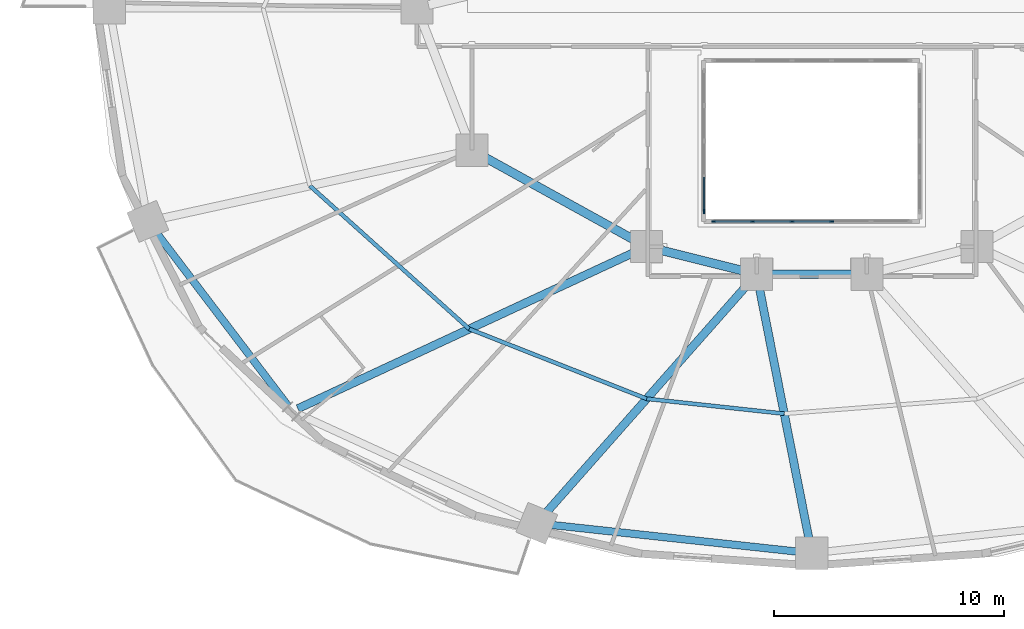
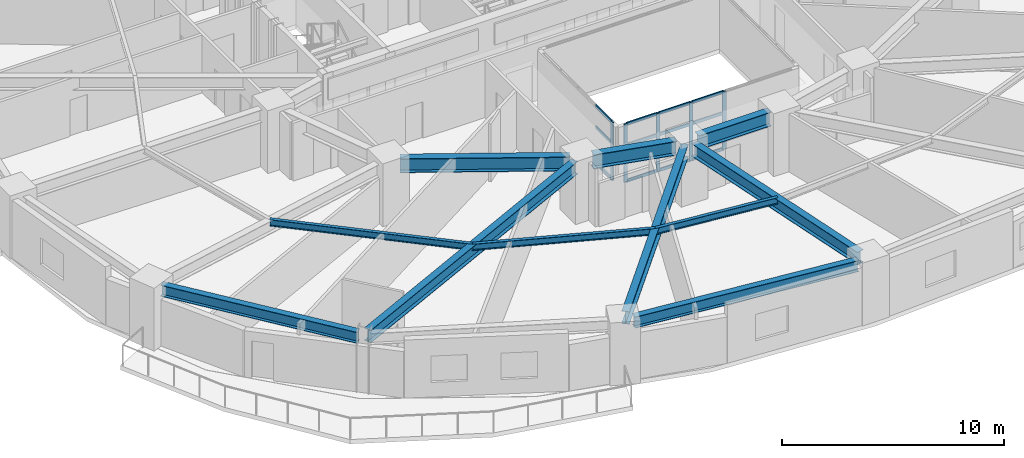
# One storey, part 3 of 16: 17 members, 11 beams, 2 elements without a shape of their own.
"""IFC4 building model written with IfcOpenShell, lengths in metres."""

import ifcopenshell
import ifcopenshell.guid

model = None  # the IFC model being written
_history = None  # IfcOwnerHistory: only IFC2X3 demands one
_inside = {}  # id of a spatial element -> (the spatial element, [elements in it])
_under = {}  # id of a project, library or spatial element -> (it, [spatial elements below it])
_declared = {}  # id of a project -> (the project, [libraries it declares])
_typed = {}  # id of a type object -> (the type object, [elements of that type])
_made_of = {}  # id of a material, layer set ... -> (it, [elements and type objects made of it])


def new_model(schema):
    """Start an empty IFC model of exactly this schema.

    Asked for "IFC4X3", IfcOpenShell would pick the latest addendum, in which some entities
    have other attributes; the version numbers below select the first issue.
    IFC2X3 requires an IfcOwnerHistory on every rooted entity: one is made here for all.
    """
    global model, _history
    if schema == "IFC4X3":
        model = ifcopenshell.file(schema_version=(4, 3, 0, 0))
    else:
        model = ifcopenshell.file(schema=schema)
    _inside.clear()
    _under.clear()
    _declared.clear()
    _typed.clear()
    _made_of.clear()
    _history = None
    if model.schema == "IFC2X3":
        org = make("IfcOrganization", Name="unknown")
        user = make(
            "IfcPersonAndOrganization",
            ThePerson=make("IfcPerson", FamilyName="unknown"),
            TheOrganization=org,
        )
        app = make(
            "IfcApplication",
            ApplicationDeveloper=org,
            Version="unknown",
            ApplicationFullName="unknown",
            ApplicationIdentifier="unknown",
        )
        _history = make(
            "IfcOwnerHistory",
            OwningUser=user,
            OwningApplication=app,
            ChangeAction="ADDED",
            CreationDate=0,
        )
    return model


def make(cls, **values):
    """One entity of the class cls with the attributes given. An attribute that is None is left unset."""
    return model.create_entity(
        cls, **{name: value for name, value in values.items() if value is not None}
    )


def rooted(cls, **values):
    """An entity with a GlobalId (a new one), such as an element, a storey or a relation."""
    return make(cls, GlobalId=ifcopenshell.guid.new(), OwnerHistory=_history, **values)


def si_unit(unit_type, name, prefix=None):
    """IfcSIUnit, for example si_unit("LENGTHUNIT", "METRE", prefix="MILLI")."""
    return make("IfcSIUnit", UnitType=unit_type, Prefix=prefix, Name=name)


def assignment(units):
    """IfcUnitAssignment: the units of a project."""
    return None if units is None else make("IfcUnitAssignment", Units=units)


def point(xyz):
    """IfcCartesianPoint."""
    return None if xyz is None else make("IfcCartesianPoint", Coordinates=xyz)


def direction(xyz):
    """IfcDirection."""
    return None if xyz is None else make("IfcDirection", DirectionRatios=xyz)


def frame(location, z_axis=None, x_axis=None):
    """IfcAxis2Placement3D, a coordinate frame: its origin and axes. An axis left out is left unset."""
    return make(
        "IfcAxis2Placement3D",
        Location=point(location),
        Axis=direction(z_axis),
        RefDirection=direction(x_axis),
    )


def frame_2d(location, x_axis=None):
    """IfcAxis2Placement2D, a coordinate frame in the plane: its origin and x axis."""
    return make(
        "IfcAxis2Placement2D", Location=point(location), RefDirection=direction(x_axis)
    )


def origin():
    """The frame at (0, 0, 0) with its axes left unset."""
    return frame((0.0, 0.0, 0.0))


def origin_2d():
    """The frame at (0, 0) in the plane with its x axis left unset."""
    return frame_2d((0.0, 0.0))


def place(relative_to, where):
    """IfcLocalPlacement: puts the frame where relative to a parent placement (None: the world)."""
    return make(
        "IfcLocalPlacement", PlacementRelTo=relative_to, RelativePlacement=where
    )


def context(
    kind, dimensions, precision=None, world=None, true_north=None, identifier=None
):
    """IfcGeometricRepresentationContext, for example the 3D "Model" context."""
    return make(
        "IfcGeometricRepresentationContext",
        ContextIdentifier=identifier,
        ContextType=kind,
        CoordinateSpaceDimension=dimensions,
        Precision=precision,
        WorldCoordinateSystem=world,
        TrueNorth=true_north,
    )


def subcontext(parent, identifier, kind, view, scale=None):
    """IfcGeometricRepresentationSubContext, for example "Body" below "Model"."""
    return make(
        "IfcGeometricRepresentationSubContext",
        ContextIdentifier=identifier,
        ContextType=kind,
        ParentContext=parent,
        TargetScale=scale,
        TargetView=view,
    )


def project(units=None, contexts=None):
    """IfcProject with its units and contexts."""
    return rooted(
        "IfcProject",
        Name="project",
        RepresentationContexts=contexts,
        UnitsInContext=assignment(units),
    )


def spatial(cls, under=None, at=None, **own):
    """A site, building, storey or space (cls), placed at a placement, below another one or the project."""
    s = rooted(cls, ObjectPlacement=at, **own)
    if under is not None:
        _under.setdefault(under.id(), (under, []))[1].append(s)
    return s


def profile(cls, at=None, kind="AREA", **sizes):
    """A parametric profile (cls). Its sizes go by their IFC names, for example OverallWidth=200.0."""
    return make(cls, ProfileType=kind, Position=at, **sizes)


def rectangle(**sizes):
    """IfcRectangleProfileDef."""
    return profile("IfcRectangleProfileDef", **sizes)


def i_section(**sizes):
    """IfcIShapeProfileDef."""
    return profile("IfcIShapeProfileDef", **sizes)


def extrude(swept, where, along, depth):
    """IfcExtrudedAreaSolid: the profile swept, set in the frame where, extruded along a direction by depth."""
    return make(
        "IfcExtrudedAreaSolid",
        SweptArea=swept,
        Position=where,
        ExtrudedDirection=direction(along),
        Depth=depth,
    )


def shape(context_of_items, identifier, shape_type, items):
    """IfcShapeRepresentation: the items that make up one representation, for example the "Body"."""
    return make(
        "IfcShapeRepresentation",
        ContextOfItems=context_of_items,
        RepresentationIdentifier=identifier,
        RepresentationType=shape_type,
        Items=items,
    )


def material(Name=None, Category=None):
    """IfcMaterial."""
    return make("IfcMaterial", Name=Name, Category=Category)


def material_profile(
    of_material, cross_section, Name=None, Category=None, Priority=None
):
    """IfcMaterialProfile: a cross section and its material."""
    return make(
        "IfcMaterialProfile",
        Name=Name,
        Material=of_material,
        Profile=cross_section,
        Priority=Priority,
        Category=Category,
    )


def profile_set(profiles, Name=None, composite=None):
    """IfcMaterialProfileSet."""
    return make(
        "IfcMaterialProfileSet",
        Name=Name,
        MaterialProfiles=profiles,
        CompositeProfile=composite,
    )


def made_of(thing, what):
    """Note that an element or type object is made of a material, layer set ...; save() writes the relation."""
    if what is not None:
        _made_of.setdefault(what.id(), (what, []))[1].append(thing)
    return thing


def type_object(cls, material=None, **own):
    """A type object (cls), such as IfcWallType, which elements share."""
    return made_of(rooted(cls, **own), material)


def element(
    cls,
    number,
    at=None,
    inside=None,
    cuts=None,
    type_object=None,
    material=None,
    context=None,
    identifier="Body",
    shape_type=None,
    held_by="IfcProductDefinitionShape",
    body=None,
    shapes=None,
    **own,
):
    """One element of the class cls, such as IfcWall. Its Tag is "e" and its number.

    at: its placement. inside: the storey or other place that contains it. cuts: it is an
    opening in that element (IfcRelVoidsElement). A single representation is given by context,
    identifier, shape_type and body (its items); several are given by shapes. held_by: the class
    of the entity that holds the representations. save() writes the other relations.
    """
    e = rooted(cls, Tag="e%d" % number, ObjectPlacement=at, **own)
    if body is not None:
        shapes = [shape(context, identifier, shape_type, body)]
    if shapes is not None:
        e.Representation = make(held_by, Representations=shapes)
    if inside is not None:
        _inside.setdefault(inside.id(), (inside, []))[1].append(e)
    if cuts is not None:
        rooted(
            "IfcRelVoidsElement", RelatingBuildingElement=cuts, RelatedOpeningElement=e
        )
    if type_object is not None:
        _typed.setdefault(type_object.id(), (type_object, []))[1].append(e)
    return made_of(e, material)


def aggregate(whole, parts):
    """IfcRelAggregates: a whole, such as a stair, and the parts it consists of."""
    return rooted("IfcRelAggregates", RelatingObject=whole, RelatedObjects=parts)


def save(model, path):
    """Write the relations noted so far, then the file.

    IfcRelAggregates (storeys below a building ...), IfcRelContainedInSpatialStructure (elements
    in a storey), IfcRelDefinesByType, IfcRelAssociatesMaterial and IfcRelDeclares: one each for
    every whole, place, type object, material and project.
    """
    for whole, parts in _under.values():
        aggregate(whole, parts)
    for where, things in _inside.values():
        rooted(
            "IfcRelContainedInSpatialStructure",
            RelatedElements=things,
            RelatingStructure=where,
        )
    for kind, things in _typed.values():
        rooted("IfcRelDefinesByType", RelatedObjects=things, RelatingType=kind)
    for what, things in _made_of.values():
        rooted("IfcRelAssociatesMaterial", RelatedObjects=things, RelatingMaterial=what)
    for by, libraries in _declared.values():
        rooted("IfcRelDeclares", RelatingContext=by, RelatedDefinitions=libraries)
    model.write(path)


model = new_model("IFC4")

# Units and contexts
model_context = context("Model", 3, precision=1e-05, world=origin(), true_north=direction((0.0, 1.0)))
body_context = subcontext(model_context, "Body", "Model", "MODEL_VIEW")
ifc_project = project(units=[si_unit("LENGTHUNIT", "METRE"), si_unit("AREAUNIT", "SQUARE_METRE"), si_unit("VOLUMEUNIT", "CUBIC_METRE"), si_unit("PLANEANGLEUNIT", "RADIAN"), si_unit("MASSUNIT", "GRAM", prefix="KILO")], contexts=[model_context])

# Site, building, storey
site_placement = place(None, origin())
site = spatial("IfcSite", under=ifc_project, at=site_placement, CompositionType="ELEMENT")
building_placement = place(site_placement, origin())
building = spatial("IfcBuilding", under=site, at=building_placement, Name="Haldorwick Loom Tower", CompositionType="ELEMENT")
storey_placement = place(building_placement, frame((0.0, 0.0, 68.85009765625)))
storey = spatial("IfcBuildingStorey", under=building, at=storey_placement, Name="L18", CompositionType="ELEMENT", Elevation=68.85009765625)

# Curtain wall, members
ifc_material_1 = material(Name="Thermally Broken Anodized Aluminium Curtain Wall Framing", Category="aluminium")
curtain_wall_type = type_object("IfcCurtainWallType", Name="ARC-CW-03", PredefinedType="NOTDEFINED", material=ifc_material_1)
curtain_wall_1_placement = place(storey_placement, origin())
curtain_wall_1 = element("IfcCurtainWall", 1, at=curtain_wall_1_placement, inside=storey, type_object=curtain_wall_type, Name="L18 Atrium Glazed Screen S", PredefinedType="NOTDEFINED")
ifc_material_profile_1 = material_profile(ifc_material_1, rectangle(XDim=0.06591796875, YDim=0.18505859375, at=origin_2d()), Name="ALU_MUL_66X185", Category="aluminium")
ifc_profile_set_1 = profile_set([ifc_material_profile_1], Name="Thermally Broken Anodized Aluminium Curtain Wall Framing")
member_type_1 = type_object("IfcMemberType", Name="ARC-CWM-03", PredefinedType="MULLION", material=ifc_profile_set_1)
member_1_placement = place(storey_placement, frame((36.860107421875, 16.699951171875, 0.0), z_axis=(0.0, 0.0, 1.0), x_axis=(0.0, -1.0, 0.0)))
member_1 = element("IfcMember", 2, at=member_1_placement, type_object=member_type_1, Name="CW-03 mullion 3", PredefinedType="MULLION", context=body_context, shape_type="SweptSolid", body=[
    extrude(rectangle(XDim=0.06591796875, YDim=0.18505859375, at=origin_2d()), origin(), (0.0, 0.0, 1.0), 3.18994140625),
])
member_2_placement = place(storey_placement, frame((35.139892578125, 16.699951171875, 0.0), z_axis=(0.0, 0.0, 1.0), x_axis=(0.0, -1.0, 0.0)))
member_2 = element("IfcMember", 3, at=member_2_placement, type_object=member_type_1, Name="CW-03 mullion 4", PredefinedType="MULLION", context=body_context, shape_type="SweptSolid", body=[
    extrude(rectangle(XDim=0.06591796875, YDim=0.18505859375, at=origin_2d()), origin(), (0.0, 0.0, 1.0), 3.18994140625),
])
member_3_placement = place(storey_placement, frame((33.419921875, 16.699951171875, 0.0), z_axis=(0.0, 0.0, 1.0), x_axis=(0.0, -1.0, 0.0)))
member_3 = element("IfcMember", 4, at=member_3_placement, type_object=member_type_1, Name="CW-03 mullion 5", PredefinedType="MULLION", context=body_context, shape_type="SweptSolid", body=[
    extrude(rectangle(XDim=0.06591796875, YDim=0.18505859375, at=origin_2d()), origin(), (0.0, 0.0, 1.0), 3.18994140625),
])
member_4_placement = place(storey_placement, frame((31.73291015625, 16.699951171875, 0.0), z_axis=(0.0, 0.0, 1.0), x_axis=(0.0, -1.0, 0.0)))
member_4 = element("IfcMember", 5, at=member_4_placement, type_object=member_type_1, Name="CW-03 mullion 6", PredefinedType="MULLION", context=body_context, shape_type="SweptSolid", body=[
    extrude(rectangle(XDim=0.06591796875, YDim=0.18505859375, at=origin_2d()), origin(), (0.0, 0.0, 1.0), 3.18994140625),
])

# Curtain wall, member
curtain_wall_2_placement = place(storey_placement, origin())
curtain_wall_2 = element("IfcCurtainWall", 6, at=curtain_wall_2_placement, inside=storey, type_object=curtain_wall_type, Name="L18 Atrium Glazed Screen W", PredefinedType="NOTDEFINED")
member_5_placement = place(storey_placement, frame((31.300048828125, 17.133056640625, 0.0), z_axis=(0.0, 0.0, 1.0), x_axis=(-1.0, 0.0, 0.0)))
member_5 = element("IfcMember", 7, at=member_5_placement, type_object=member_type_1, Name="CW-03 mullion 1", PredefinedType="MULLION", context=body_context, shape_type="SweptSolid", body=[
    extrude(rectangle(XDim=0.06591796875, YDim=0.18505859375, at=origin_2d()), origin(), (0.0, 0.0, 1.0), 3.18994140625),
])

# Member
ifc_material_profile_2 = material_profile(ifc_material_1, rectangle(XDim=0.06591796875, YDim=0.1650390625, at=origin_2d()), Name="ALU_TRN_66X165", Category="aluminium")
ifc_profile_set_2 = profile_set([ifc_material_profile_2], Name="Thermally Broken Anodized Aluminium Curtain Wall Framing")
member_type_2 = type_object("IfcMemberType", Name="ARC-CWT-03", PredefinedType="USERDEFINED", material=ifc_profile_set_2)
member_6_placement = place(storey_placement, frame((36.826904296875, 16.699951171875, 0.032958984375), z_axis=(-1.0, 0.0, 0.0), x_axis=(0.0, -1.0, 0.0)))
member_6 = element("IfcMember", 8, at=member_6_placement, type_object=member_type_2, Name="CW-03 transom 3.1", ObjectType="TRANSOM", PredefinedType="USERDEFINED", context=body_context, shape_type="SweptSolid", body=[
    extrude(rectangle(XDim=0.06591796875, YDim=0.1650390625, at=origin_2d()), origin(), (0.0, 0.0, 1.0), 1.65380859375),
])

member_7_placement = place(storey_placement, frame((36.826904296875, 16.699951171875, 2.0), z_axis=(-1.0, 0.0, 0.0), x_axis=(0.0, -1.0, 0.0)))
member_7 = element("IfcMember", 9, at=member_7_placement, type_object=member_type_2, Name="CW-03 transom 3.2", ObjectType="TRANSOM", PredefinedType="USERDEFINED", context=body_context, shape_type="SweptSolid", body=[
    extrude(rectangle(XDim=0.06591796875, YDim=0.1650390625, at=origin_2d()), origin(), (0.0, 0.0, 1.0), 1.65380859375),
])

member_8_placement = place(storey_placement, frame((36.826904296875, 16.699951171875, 3.156982421875), z_axis=(-1.0, 0.0, 0.0), x_axis=(0.0, -1.0, 0.0)))
member_8 = element("IfcMember", 10, at=member_8_placement, type_object=member_type_2, Name="CW-03 transom 3.3", ObjectType="TRANSOM", PredefinedType="USERDEFINED", context=body_context, shape_type="SweptSolid", body=[
    extrude(rectangle(XDim=0.06591796875, YDim=0.1650390625, at=origin_2d()), origin(), (0.0, 0.0, 1.0), 1.65380859375),
])

member_9_placement = place(storey_placement, frame((35.10693359375, 16.699951171875, 0.032958984375), z_axis=(-1.0, 0.0, 0.0), x_axis=(0.0, -1.0, 0.0)))
member_9 = element("IfcMember", 11, at=member_9_placement, type_object=member_type_2, Name="CW-03 transom 4.1", ObjectType="TRANSOM", PredefinedType="USERDEFINED", context=body_context, shape_type="SweptSolid", body=[
    extrude(rectangle(XDim=0.06591796875, YDim=0.1650390625, at=origin_2d()), origin(), (0.0, 0.0, 1.0), 1.654052734375),
])

member_10_placement = place(storey_placement, frame((35.10693359375, 16.699951171875, 2.0), z_axis=(-1.0, 0.0, 0.0), x_axis=(0.0, -1.0, 0.0)))
member_10 = element("IfcMember", 12, at=member_10_placement, type_object=member_type_2, Name="CW-03 transom 4.2", ObjectType="TRANSOM", PredefinedType="USERDEFINED", context=body_context, shape_type="SweptSolid", body=[
    extrude(rectangle(XDim=0.06591796875, YDim=0.1650390625, at=origin_2d()), origin(), (0.0, 0.0, 1.0), 1.654052734375),
])

member_11_placement = place(storey_placement, frame((35.10693359375, 16.699951171875, 3.156982421875), z_axis=(-1.0, 0.0, 0.0), x_axis=(0.0, -1.0, 0.0)))
member_11 = element("IfcMember", 13, at=member_11_placement, type_object=member_type_2, Name="CW-03 transom 4.3", ObjectType="TRANSOM", PredefinedType="USERDEFINED", context=body_context, shape_type="SweptSolid", body=[
    extrude(rectangle(XDim=0.06591796875, YDim=0.1650390625, at=origin_2d()), origin(), (0.0, 0.0, 1.0), 1.654052734375),
])

member_12_placement = place(storey_placement, frame((33.386962890625, 16.699951171875, 0.032958984375), z_axis=(-1.0, 0.0, 0.0), x_axis=(0.0, -1.0, 0.0)))
member_12 = element("IfcMember", 14, at=member_12_placement, type_object=member_type_2, Name="CW-03 transom 5.1", ObjectType="TRANSOM", PredefinedType="USERDEFINED", context=body_context, shape_type="SweptSolid", body=[
    extrude(rectangle(XDim=0.06591796875, YDim=0.1650390625, at=origin_2d()), origin(), (0.0, 0.0, 1.0), 1.620849609375),
])

member_13_placement = place(storey_placement, frame((33.386962890625, 16.699951171875, 2.0), z_axis=(-1.0, 0.0, 0.0), x_axis=(0.0, -1.0, 0.0)))
member_13 = element("IfcMember", 15, at=member_13_placement, type_object=member_type_2, Name="CW-03 transom 5.2", ObjectType="TRANSOM", PredefinedType="USERDEFINED", context=body_context, shape_type="SweptSolid", body=[
    extrude(rectangle(XDim=0.06591796875, YDim=0.1650390625, at=origin_2d()), origin(), (0.0, 0.0, 1.0), 1.620849609375),
])

member_14_placement = place(storey_placement, frame((33.386962890625, 16.699951171875, 3.156982421875), z_axis=(-1.0, 0.0, 0.0), x_axis=(0.0, -1.0, 0.0)))
member_14 = element("IfcMember", 16, at=member_14_placement, type_object=member_type_2, Name="CW-03 transom 5.3", ObjectType="TRANSOM", PredefinedType="USERDEFINED", context=body_context, shape_type="SweptSolid", body=[
    extrude(rectangle(XDim=0.06591796875, YDim=0.1650390625, at=origin_2d()), origin(), (0.0, 0.0, 1.0), 1.620849609375),
])

aggregate(curtain_wall_1, [member_1, member_2, member_3, member_4, member_6, member_7, member_8, member_9, member_10, member_11, member_12, member_13, member_14])

member_15_placement = place(storey_placement, frame((31.300048828125, 17.166015625, 0.032958984375), z_axis=(0.0, 1.0, 0.0), x_axis=(-1.0, 0.0, 0.0)))
member_15 = element("IfcMember", 17, at=member_15_placement, type_object=member_type_2, Name="CW-03 transom 1.1", ObjectType="TRANSOM", PredefinedType="USERDEFINED", context=body_context, shape_type="SweptSolid", body=[
    extrude(rectangle(XDim=0.06591796875, YDim=0.1650390625, at=origin_2d()), origin(), (0.0, 0.0, 1.0), 1.450927734375),
])

member_16_placement = place(storey_placement, frame((31.300048828125, 17.166015625, 2.0), z_axis=(0.0, 1.0, 0.0), x_axis=(-1.0, 0.0, 0.0)))
member_16 = element("IfcMember", 18, at=member_16_placement, type_object=member_type_2, Name="CW-03 transom 1.2", ObjectType="TRANSOM", PredefinedType="USERDEFINED", context=body_context, shape_type="SweptSolid", body=[
    extrude(rectangle(XDim=0.06591796875, YDim=0.1650390625, at=origin_2d()), origin(), (0.0, 0.0, 1.0), 1.450927734375),
])

member_17_placement = place(storey_placement, frame((31.300048828125, 17.166015625, 3.156982421875), z_axis=(0.0, 1.0, 0.0), x_axis=(-1.0, 0.0, 0.0)))
member_17 = element("IfcMember", 19, at=member_17_placement, type_object=member_type_2, Name="CW-03 transom 1.3", ObjectType="TRANSOM", PredefinedType="USERDEFINED", context=body_context, shape_type="SweptSolid", body=[
    extrude(rectangle(XDim=0.06591796875, YDim=0.1650390625, at=origin_2d()), origin(), (0.0, 0.0, 1.0), 1.450927734375),
])

aggregate(curtain_wall_2, [member_5, member_15, member_16, member_17])

# Beams
ifc_material_2 = material(Name="Steel CSA G40.21 350W", Category="steel")
ifc_material_profile_3 = material_profile(ifc_material_2, i_section(OverallWidth=0.172119140625, OverallDepth=0.35791015625, WebThickness=0.0078125, FlangeThickness=0.01318359375, at=origin_2d()), Name="W360X57", Category="steel")
ifc_profile_set_3 = profile_set([ifc_material_profile_3], Name="Steel CSA G40.21 350W")
beam_type_1 = type_object("IfcBeamType", Name="STR-BM-J360", PredefinedType="JOIST", material=ifc_profile_set_3)
beam_1_placement = place(storey_placement, frame((14.141357421875, 18.25048828125, 3.010986328125), z_axis=(0.743981830112, -0.668199847698, 0.0), x_axis=(0.668199847698, 0.743981830112, 0.0)))
element("IfcBeam", 20, at=beam_1_placement, inside=storey, type_object=beam_type_1, Name="L18 Mid-Bay Secondary Joist 10", PredefinedType="JOIST", context=body_context, shape_type="SweptSolid", body=[
    extrude(i_section(OverallWidth=0.172119140625, OverallDepth=0.35791015625, WebThickness=0.0078125, FlangeThickness=0.01318359375, at=origin_2d()), origin(), (0.0, 0.0, 1.0), 9.3330078125),
])
beam_2_placement = place(storey_placement, frame((21.0849609375, 12.01416015625, 3.010986328125), z_axis=(0.930584838237, -0.366076301941, 0.0), x_axis=(0.366076301941, 0.930584838237, 0.0)))
element("IfcBeam", 21, at=beam_2_placement, inside=storey, type_object=beam_type_1, Name="L18 Mid-Bay Secondary Joist 11", PredefinedType="JOIST", context=body_context, shape_type="SweptSolid", body=[
    extrude(i_section(OverallWidth=0.172119140625, OverallDepth=0.35791015625, WebThickness=0.0078125, FlangeThickness=0.01318359375, at=origin_2d()), origin(), (0.0, 0.0, 1.0), 8.302490234375),
])
beam_3_placement = place(storey_placement, frame((28.81103515625, 8.974853515625, 3.010986328125), z_axis=(0.994163660215, -0.107882420753, 0.0), x_axis=(0.107882420753, 0.994163660215, 0.0)))
element("IfcBeam", 22, at=beam_3_placement, inside=storey, type_object=beam_type_1, Name="L18 Mid-Bay Secondary Joist 12", PredefinedType="JOIST", context=body_context, shape_type="SweptSolid", body=[
    extrude(i_section(OverallWidth=0.172119140625, OverallDepth=0.35791015625, WebThickness=0.0078125, FlangeThickness=0.01318359375, at=origin_2d()), origin(), (0.0, 0.0, 1.0), 6.024169921875),
])
ifc_material_profile_4 = material_profile(ifc_material_2, i_section(OverallWidth=0.324951171875, OverallDepth=0.615966796875, WebThickness=0.013916015625, FlangeThickness=0.021484375, at=origin_2d()), Name="W610X174", Category="steel")
ifc_profile_set_4 = profile_set([ifc_material_profile_4], Name="Steel CSA G40.21 350W")
beam_type_2 = type_object("IfcBeamType", Name="STR-BM-SP610", PredefinedType="SPANDREL", material=ifc_profile_set_4)
beam_4_placement = place(storey_placement, frame((7.397216796875, 16.286865234375, 2.8818359375), z_axis=(0.605084557744, -0.796161213562, 0.0), x_axis=(0.796161213562, 0.605084557744, 0.0)))
element("IfcBeam", 23, at=beam_4_placement, inside=storey, type_object=beam_type_2, Name="L18 Perimeter Spandrel 10", PredefinedType="SPANDREL", context=body_context, shape_type="SweptSolid", body=[
    extrude(i_section(OverallWidth=0.324951171875, OverallDepth=0.615966796875, WebThickness=0.013916015625, FlangeThickness=0.021484375, at=origin_2d()), origin(), (0.0, 0.0, 1.0), 9.595703125),
])
beam_5_placement = place(storey_placement, frame((24.5390625, 3.49365234375, 2.8818359375), z_axis=(0.994164438636, -0.107875247167, 0.0), x_axis=(0.107875247167, 0.994164438636, 0.0)))
element("IfcBeam", 24, at=beam_5_placement, inside=storey, type_object=beam_type_2, Name="L18 Perimeter Spandrel 12", PredefinedType="SPANDREL", context=body_context, shape_type="SweptSolid", body=[
    extrude(i_section(OverallWidth=0.324951171875, OverallDepth=0.615966796875, WebThickness=0.013916015625, FlangeThickness=0.021484375, at=origin_2d()), origin(), (0.0, 0.0, 1.0), 11.008056640625),
])
ifc_material_profile_5 = material_profile(ifc_material_2, i_section(OverallWidth=0.35498046875, OverallDepth=0.695068359375, WebThickness=0.015380859375, FlangeThickness=0.02490234375, at=origin_2d()), Name="W690X217", Category="steel")
ifc_profile_set_5 = profile_set([ifc_material_profile_5], Name="Steel CSA G40.21 350W")
beam_type_3 = type_object("IfcBeamType", Name="STR-BM-W690", PredefinedType="BEAM", material=ifc_profile_set_5)
beam_6_placement = place(storey_placement, frame((28.328369140625, 15.380859375, 2.84228515625), z_axis=(-0.90683498532, -0.421485835349, 0.0), x_axis=(0.421485835349, -0.90683498532, 0.0)))
element("IfcBeam", 25, at=beam_6_placement, inside=storey, type_object=beam_type_3, Name="L18 Radial Floor Girder 11", PredefinedType="BEAM", context=body_context, shape_type="SweptSolid", body=[
    extrude(i_section(OverallWidth=0.35498046875, OverallDepth=0.695068359375, WebThickness=0.015380859375, FlangeThickness=0.02490234375, at=origin_2d()), origin(), (0.0, 0.0, 1.0), 16.220458984375),
])
beam_7_placement = place(storey_placement, frame((33.255859375, 14.01025390625, 2.84228515625), z_axis=(-0.661774304332, -0.749703121326, 0.0), x_axis=(0.749703121326, -0.661774304332, 0.0)))
element("IfcBeam", 26, at=beam_7_placement, inside=storey, type_object=beam_type_3, Name="L18 Radial Floor Girder 12", PredefinedType="BEAM", context=body_context, shape_type="SweptSolid", body=[
    extrude(i_section(OverallWidth=0.35498046875, OverallDepth=0.695068359375, WebThickness=0.015380859375, FlangeThickness=0.02490234375, at=origin_2d()), origin(), (0.0, 0.0, 1.0), 13.43310546875),
])
beam_8_placement = place(storey_placement, frame((33.70068359375, 13.889892578125, 2.84228515625), z_axis=(0.193785651115, -0.981043893729, 0.0), x_axis=(0.981043893729, 0.193785651115, 0.0)))
element("IfcBeam", 27, at=beam_8_placement, inside=storey, type_object=beam_type_3, Name="L18 Radial Floor Girder 13", PredefinedType="BEAM", context=body_context, shape_type="SweptSolid", body=[
    extrude(i_section(OverallWidth=0.35498046875, OverallDepth=0.695068359375, WebThickness=0.015380859375, FlangeThickness=0.02490234375, at=origin_2d()), origin(), (0.0, 0.0, 1.0), 11.344970703125),
])
ifc_material_profile_6 = material_profile(ifc_material_2, i_section(OverallWidth=0.381103515625, OverallDepth=0.77294921875, WebThickness=0.0166015625, FlangeThickness=0.027587890625, at=origin_2d()), Name="W760X257", Category="steel")
ifc_profile_set_6 = profile_set([ifc_material_profile_6], Name="Steel CSA G40.21 350W")
beam_type_4 = type_object("IfcBeamType", Name="STR-BM-W760", PredefinedType="BEAM", material=ifc_profile_set_6)
beam_9_placement = place(storey_placement, frame((37.8798828125, 14.39990234375, 2.803466796875), z_axis=(-1.0, 0.0, 0.0), x_axis=(0.0, -1.0, 0.0)))
element("IfcBeam", 28, at=beam_9_placement, inside=storey, type_object=beam_type_4, Name="L18 Inner Ring Girder 5", PredefinedType="BEAM", context=body_context, shape_type="SweptSolid", body=[
    extrude(i_section(OverallWidth=0.381103515625, OverallDepth=0.77294921875, WebThickness=0.0166015625, FlangeThickness=0.027587890625, at=origin_2d()), origin(), (0.0, 0.0, 1.0), 3.759765625),
])
beam_10_placement = place(storey_placement, frame((33.095458984375, 14.526123046875, 2.803466796875), z_axis=(-0.970142500145, 0.242535625036, 0.0), x_axis=(-0.242535625036, -0.970142500145, 0.0)))
element("IfcBeam", 29, at=beam_10_placement, inside=storey, type_object=beam_type_4, Name="L18 Inner Ring Girder 6", PredefinedType="BEAM", context=body_context, shape_type="SweptSolid", body=[
    extrude(i_section(OverallWidth=0.381103515625, OverallDepth=0.77294921875, WebThickness=0.0166015625, FlangeThickness=0.027587890625, at=origin_2d()), origin(), (0.0, 0.0, 1.0), 3.90771484375),
])
beam_11_placement = place(storey_placement, frame((28.344970703125, 15.8515625, 2.803466796875), z_axis=(-0.875244382146, 0.483680960471, 0.0), x_axis=(-0.483680960471, -0.875244382146, 0.0)))
element("IfcBeam", 30, at=beam_11_placement, inside=storey, type_object=beam_type_4, Name="L18 Inner Ring Girder 7", PredefinedType="BEAM", context=body_context, shape_type="SweptSolid", body=[
    extrude(i_section(OverallWidth=0.381103515625, OverallDepth=0.77294921875, WebThickness=0.0166015625, FlangeThickness=0.027587890625, at=origin_2d()), origin(), (0.0, 0.0, 1.0), 7.6435546875),
])

save(model, "model.ifc")
